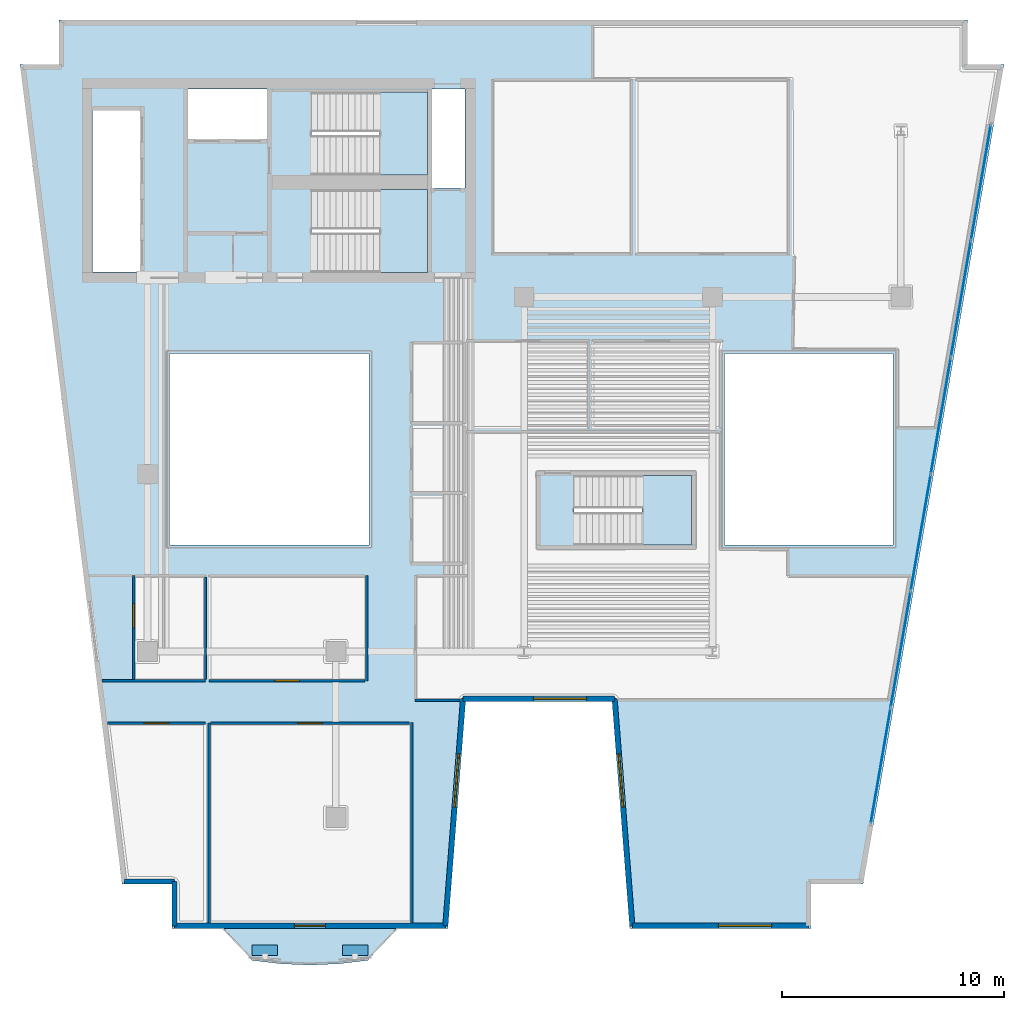
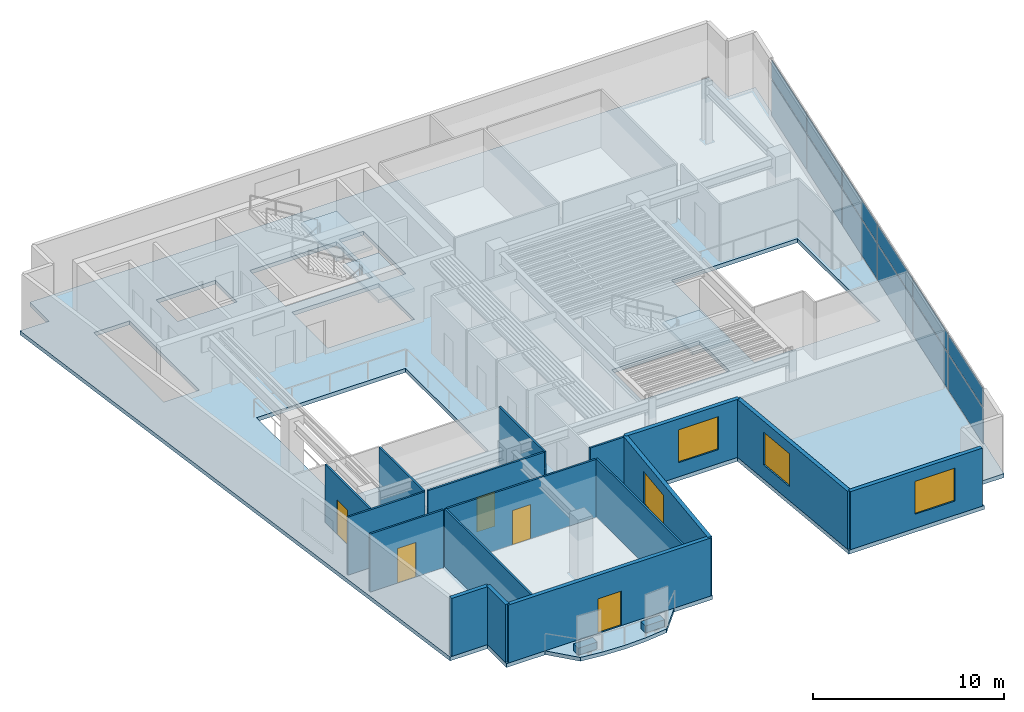
# One storey, part 3 of 9: 17 walls, 14 plates, 5 doors, 5 slabs, 4 windows, 9 openings, 4 elements without a shape of their own.
"""IFC4 building model written with IfcOpenShell, lengths in metres."""

from ifc_helpers import new_model, si_unit, direction, frame, frame_2d, origin, origin_2d, place, context, subcontext, project, spatial, polyline, rectangle, outline, extrude, material, layer, layer_set, type_object, element, fill, aggregate, save


model = new_model("IFC4")

# Units and contexts
model_context = context("Model", 3, precision=1e-05, world=origin(), true_north=direction((0.0, 1.0)))
body_context = subcontext(model_context, "Body", "Model", "MODEL_VIEW")
ifc_project = project(units=[si_unit("LENGTHUNIT", "METRE"), si_unit("AREAUNIT", "SQUARE_METRE"), si_unit("VOLUMEUNIT", "CUBIC_METRE"), si_unit("PLANEANGLEUNIT", "RADIAN"), si_unit("MASSUNIT", "GRAM", prefix="KILO")], contexts=[model_context])

# Site, building, storey
site_placement = place(None, origin())
site = spatial("IfcSite", under=ifc_project, at=site_placement, CompositionType="ELEMENT")
building_placement = place(site_placement, origin())
building = spatial("IfcBuilding", under=site, at=building_placement, Name="Caeloran Harvest Quay", CompositionType="ELEMENT")
storey_placement = place(building_placement, frame((0.0, 0.0, 215.35009765625)))
storey = spatial("IfcBuildingStorey", under=building, at=storey_placement, Name="L51", CompositionType="ELEMENT", Elevation=215.35009765625)

# Slab
ifc_material_1 = material(Name="Concrete C50/60", Category="concrete")
ifc_layer_1 = layer(ifc_material_1, 0.239990234375, Name="Concrete C50/60")
ifc_layer_set_1 = layer_set([ifc_layer_1], Name="Concrete C50/60")
slab_type_1 = type_object("IfcSlabType", Name="BALCONY-BL-240", PredefinedType="FLOOR", material=ifc_layer_set_1)
slab_1_placement = place(storey_placement, frame((0.0, 0.0, -0.239990234375)))
element("IfcSlab", 1, at=slab_1_placement, inside=storey, type_object=slab_type_1, Name="L51 Scalloped Cantilevered Planted Balcony Slab", PredefinedType="FLOOR", context=body_context, shape_type="SweptSolid", body=[
    extrude(outline(polyline([(18.442138671875, 1.060546875), (17.13818359375, 0.906982421875), (15.83447265625, 0.85107421875), (14.53076171875, 0.906982421875), (13.226806640625, 1.060546875), (11.94091796875, 2.5), (19.72802734375, 2.5), (18.442138671875, 1.060546875)])), origin(), (0.0, 0.0, 1.0), 0.239990234375),
])

# Curtain wall, plates
ifc_material_2 = material(Name="Aluminium 6063-T6 and Low-E Glazing", Category="aluminium")
ifc_layer_2 = layer(ifc_material_2, 0.2099609375, Name="Aluminium 6063-T6 and Low-E Glazing")
ifc_layer_set_2 = layer_set([ifc_layer_2], Name="Aluminium 6063-T6 and Low-E Glazing")
curtain_wall_type = type_object("IfcCurtainWallType", Name="CW-SYS-CW-4", PredefinedType="USERDEFINED", material=ifc_layer_set_2)
curtain_wall_placement = place(storey_placement, origin())
curtain_wall = element("IfcCurtainWall", 2, at=curtain_wall_placement, inside=storey, type_object=curtain_wall_type, Name="L51 Unitised Curtain Wall CW-4 Run 9", ObjectType="CURTAIN_WALL", PredefinedType="USERDEFINED")
ifc_material_3 = material(Name="Low-E Double Glazed Vision Glass Unit", Category="glass")
ifc_layer_3 = layer(ifc_material_3, 0.035888671875, Name="Low-E Double Glazed Vision Glass Unit")
ifc_layer_set_3 = layer_set([ifc_layer_3], Name="Low-E Double Glazed Vision Glass Unit")
plate_type_1 = type_object("IfcPlateType", Name="CW-VISION-PANEL", PredefinedType="CURTAIN_PANEL", material=ifc_layer_set_3)
plate_1_placement = place(storey_placement, frame((46.116943359375, 36.16162109375, 0.080078125), z_axis=(0.0, 0.0, 1.0), x_axis=(-0.169391215605, -0.985548890759, 0.0)))
plate_1 = element("IfcPlate", 3, at=plate_1_placement, type_object=plate_type_1, Name="CW-4 panel 1.1", PredefinedType="CURTAIN_PANEL", context=body_context, shape_type="SweptSolid", body=[
    extrude(rectangle(XDim=5.229736328125, YDim=0.035888671875, at=origin_2d()), origin(), (0.0, 0.0, 1.0), 2.280029296875),
])
plate_2_placement = place(storey_placement, frame((46.116943359375, 36.16162109375, 2.43994140625), z_axis=(0.0, 0.0, 1.0), x_axis=(-0.169391215605, -0.985548890759, 0.0)))
plate_2 = element("IfcPlate", 4, at=plate_2_placement, type_object=plate_type_1, Name="CW-4 panel 1.2", PredefinedType="CURTAIN_PANEL", context=body_context, shape_type="SweptSolid", body=[
    extrude(rectangle(XDim=5.229736328125, YDim=0.035888671875, at=origin_2d()), origin(), (0.0, 0.0, 1.0), 1.179931640625),
])
plate_3_placement = place(storey_placement, frame((45.214111328125, 30.90869140625, 0.080078125), z_axis=(0.0, 0.0, 1.0), x_axis=(-0.169391215605, -0.985548890759, 0.0)))
plate_3 = element("IfcPlate", 5, at=plate_3_placement, type_object=plate_type_1, Name="CW-4 panel 2.1", PredefinedType="CURTAIN_PANEL", context=body_context, shape_type="SweptSolid", body=[
    extrude(rectangle(XDim=5.269775390625, YDim=0.035888671875, at=origin_2d()), origin(), (0.0, 0.0, 1.0), 2.280029296875),
])
plate_4_placement = place(storey_placement, frame((45.214111328125, 30.90869140625, 2.43994140625), z_axis=(0.0, 0.0, 1.0), x_axis=(-0.169391215605, -0.985548890759, 0.0)))
plate_4 = element("IfcPlate", 6, at=plate_4_placement, type_object=plate_type_1, Name="CW-4 panel 2.2", PredefinedType="CURTAIN_PANEL", context=body_context, shape_type="SweptSolid", body=[
    extrude(rectangle(XDim=5.269775390625, YDim=0.035888671875, at=origin_2d()), origin(), (0.0, 0.0, 1.0), 1.179931640625),
])
plate_5_placement = place(storey_placement, frame((44.307861328125, 25.63623046875, 0.080078125), z_axis=(0.0, 0.0, 1.0), x_axis=(-0.169391215605, -0.985548890759, 0.0)))
plate_5 = element("IfcPlate", 7, at=plate_5_placement, type_object=plate_type_1, Name="CW-4 panel 3.1", PredefinedType="CURTAIN_PANEL", context=body_context, shape_type="SweptSolid", body=[
    extrude(rectangle(XDim=5.269775390625, YDim=0.035888671875, at=origin_2d()), origin(), (0.0, 0.0, 1.0), 2.280029296875),
])
plate_6_placement = place(storey_placement, frame((44.307861328125, 25.63623046875, 2.43994140625), z_axis=(0.0, 0.0, 1.0), x_axis=(-0.169391215605, -0.985548890759, 0.0)))
plate_6 = element("IfcPlate", 8, at=plate_6_placement, type_object=plate_type_1, Name="CW-4 panel 3.2", PredefinedType="CURTAIN_PANEL", context=body_context, shape_type="SweptSolid", body=[
    extrude(rectangle(XDim=5.269775390625, YDim=0.035888671875, at=origin_2d()), origin(), (0.0, 0.0, 1.0), 1.179931640625),
])
plate_7_placement = place(storey_placement, frame((43.401611328125, 20.36376953125, 0.080078125), z_axis=(0.0, 0.0, 1.0), x_axis=(-0.169391215605, -0.985548890759, 0.0)))
plate_7 = element("IfcPlate", 9, at=plate_7_placement, type_object=plate_type_1, Name="CW-4 panel 4.1", PredefinedType="CURTAIN_PANEL", context=body_context, shape_type="SweptSolid", body=[
    extrude(rectangle(XDim=5.269775390625, YDim=0.035888671875, at=origin_2d()), origin(), (0.0, 0.0, 1.0), 2.280029296875),
])
plate_8_placement = place(storey_placement, frame((43.401611328125, 20.36376953125, 2.43994140625), z_axis=(0.0, 0.0, 1.0), x_axis=(-0.169391215605, -0.985548890759, 0.0)))
plate_8 = element("IfcPlate", 10, at=plate_8_placement, type_object=plate_type_1, Name="CW-4 panel 4.2", PredefinedType="CURTAIN_PANEL", context=body_context, shape_type="SweptSolid", body=[
    extrude(rectangle(XDim=5.269775390625, YDim=0.035888671875, at=origin_2d()), origin(), (0.0, 0.0, 1.0), 1.179931640625),
])
plate_9_placement = place(storey_placement, frame((42.495361328125, 15.09130859375, 0.080078125), z_axis=(0.0, 0.0, 1.0), x_axis=(-0.169391215605, -0.985548890759, 0.0)))
plate_9 = element("IfcPlate", 11, at=plate_9_placement, type_object=plate_type_1, Name="CW-4 panel 5.1", PredefinedType="CURTAIN_PANEL", context=body_context, shape_type="SweptSolid", body=[
    extrude(rectangle(XDim=5.269775390625, YDim=0.035888671875, at=origin_2d()), origin(), (0.0, 0.0, 1.0), 2.280029296875),
])
plate_10_placement = place(storey_placement, frame((42.495361328125, 15.09130859375, 2.43994140625), z_axis=(0.0, 0.0, 1.0), x_axis=(-0.169391215605, -0.985548890759, 0.0)))
plate_10 = element("IfcPlate", 12, at=plate_10_placement, type_object=plate_type_1, Name="CW-4 panel 5.2", PredefinedType="CURTAIN_PANEL", context=body_context, shape_type="SweptSolid", body=[
    extrude(rectangle(XDim=5.269775390625, YDim=0.035888671875, at=origin_2d()), origin(), (0.0, 0.0, 1.0), 1.179931640625),
])
plate_11_placement = place(storey_placement, frame((41.592529296875, 9.83837890625, 0.080078125), z_axis=(0.0, 0.0, 1.0), x_axis=(-0.169391215605, -0.985548890759, 0.0)))
plate_11 = element("IfcPlate", 13, at=plate_11_placement, type_object=plate_type_1, Name="CW-4 panel 6.1", PredefinedType="CURTAIN_PANEL", context=body_context, shape_type="SweptSolid", body=[
    extrude(rectangle(XDim=5.229736328125, YDim=0.035888671875, at=origin_2d()), origin(), (0.0, 0.0, 1.0), 2.280029296875),
])
plate_12_placement = place(storey_placement, frame((41.592529296875, 9.83837890625, 2.43994140625), z_axis=(0.0, 0.0, 1.0), x_axis=(-0.169391215605, -0.985548890759, 0.0)))
plate_12 = element("IfcPlate", 14, at=plate_12_placement, type_object=plate_type_1, Name="CW-4 panel 6.2", PredefinedType="CURTAIN_PANEL", context=body_context, shape_type="SweptSolid", body=[
    extrude(rectangle(XDim=5.229736328125, YDim=0.035888671875, at=origin_2d()), origin(), (0.0, 0.0, 1.0), 1.179931640625),
])
aggregate(curtain_wall, [plate_1, plate_2, plate_3, plate_4, plate_5, plate_6, plate_7, plate_8, plate_9, plate_10, plate_11, plate_12])

# Plates
ifc_material_4 = material(Name="Precast concrete C50/60", Category="concrete")
ifc_layer_4 = layer(ifc_material_4, 0.449951171875, Name="Precast concrete C50/60")
ifc_layer_set_4 = layer_set([ifc_layer_4], Name="Precast concrete C50/60")
plate_type_2 = type_object("IfcPlateType", Name="PLANTER-TROUGH-450", PredefinedType="USERDEFINED", material=ifc_layer_set_4)
for number, where, z_axis, x_axis, name in (
    (15, (17.868408203125, 1.523193359375, 0.0), (0.0, 0.0, 1.0), (1.0, 0.0, 0.0), "L51 Balcony Vertical-Greenery Precast PLANTER Trough 1"),
    (16, (13.800537109375, 1.523193359375, 0.0), (0.0, 0.0, 1.0), (1.0, 0.0, 0.0), "L51 Balcony Vertical-Greenery Precast PLANTER Trough 2"),
):
    element("IfcPlate", number, at=place(storey_placement, frame(where, z_axis=z_axis, x_axis=x_axis)), inside=storey, type_object=plate_type_2, Name=name, ObjectType="PLANTER", PredefinedType="USERDEFINED", context=body_context, shape_type="SweptSolid", body=[
        extrude(rectangle(XDim=1.14990234375, YDim=0.47998046875, at=origin_2d()), origin(), (0.0, 0.0, 1.0), 0.449951171875),
    ])

# Slab
ifc_layer_5 = layer(ifc_material_1, 0.25, Name="Concrete C50/60")
ifc_layer_set_5 = layer_set([ifc_layer_5], Name="Concrete C50/60")
slab_type_2 = type_object("IfcSlabType", Name="SLAB-FS-250", PredefinedType="FLOOR", material=ifc_layer_set_5)
slab_2_placement = place(storey_placement, frame((0.0, 0.0, -0.25)))
element("IfcSlab", 17, at=slab_2_placement, inside=storey, type_object=slab_type_2, Name="L51 Structural Floor Slab", PredefinedType="FLOOR", context=body_context, shape_type="SweptSolid", body=[
    extrude(outline(polyline([(9.60302734375, 2.5), (22.056884765625, 2.5), (22.85693359375, 12.75), (29.469482421875, 12.75), (30.26953125, 2.5), (38.452880859375, 2.5), (38.452880859375, 4.5), (40.796875, 4.5), (47.15625, 41.5), (45.5, 41.5), (45.5, 43.5), (4.5, 43.5), (4.5, 41.5), (2.748779296875, 41.5), (7.35400390625, 4.5), (9.60302734375, 4.5), (9.60302734375, 2.5)]), holes=[polyline([(27.75, 19.800048828125), (27.75, 22.949951171875), (33.050048828125, 22.949951171875), (33.050048828125, 19.800048828125), (27.75, 19.800048828125)]), polyline([(18.5, 19.800048828125), (9.5, 19.800048828125), (9.5, 28.449951171875), (18.5, 28.449951171875), (18.5, 19.800048828125)]), polyline([(42.14990234375, 19.800048828125), (34.550048828125, 19.800048828125), (34.550048828125, 28.449951171875), (42.14990234375, 28.449951171875), (42.14990234375, 19.800048828125)]), polyline([(15.89990234375, 32.10009765625), (15.89990234375, 35.85009765625), (21.14990234375, 35.85009765625), (21.14990234375, 32.10009765625), (15.89990234375, 32.10009765625)]), polyline([(8.159912109375, 32.1201171875), (6.02001953125, 32.1201171875), (6.02001953125, 39.419921875), (8.159912109375, 39.419921875), (8.159912109375, 32.1201171875)]), polyline([(22.830078125, 35.919921875), (21.35009765625, 35.919921875), (21.35009765625, 40.3798828125), (22.830078125, 40.3798828125), (22.830078125, 35.919921875)]), polyline([(15.89990234375, 36.5), (15.89990234375, 40.25), (21.14990234375, 40.25), (21.14990234375, 36.5), (15.89990234375, 36.5)]), polyline([(13.89990234375, 38.1201171875), (10.320068359375, 38.1201171875), (10.320068359375, 40.3798828125), (13.89990234375, 40.3798828125), (13.89990234375, 38.1201171875)])]), origin(), (0.0, 0.0, 1.0), 0.25),
])

# Stair, slab
stair_type_1 = type_object("IfcStairType", Name="STAIR-STC-180", PredefinedType="HALF_TURN_STAIR", material=ifc_material_1)
stair_1_placement = place(storey_placement, origin())
stair_1 = element("IfcStair", 18, at=stair_1_placement, inside=storey, type_object=stair_type_1, Name="L51 Core Pressurized Exit Stair ST-C1", PredefinedType="HALF_TURN_STAIR")
ifc_layer_6 = layer(ifc_material_1, 0.219970703125, Name="Concrete C50/60")
ifc_layer_set_6 = layer_set([ifc_layer_6], Name="Concrete C50/60")
slab_type_3 = type_object("IfcSlabType", Name="STAIR-LANDING-220", PredefinedType="LANDING", material=ifc_layer_set_6)
slab_3_placement = place(storey_placement, frame((0.0, 0.0, 1.77490234375)))
slab_3 = element("IfcSlab", 19, at=slab_3_placement, type_object=slab_type_3, Name="ST-C1 landing 1", PredefinedType="LANDING", context=body_context, shape_type="SweptSolid", body=[
    extrude(outline(polyline([(18.97998046875, 36.5), (21.14990234375, 36.5), (21.14990234375, 40.25), (18.97998046875, 40.25), (18.97998046875, 36.5)])), origin(), (0.0, 0.0, 1.0), 0.199951171875),
])
aggregate(stair_1, [slab_3])

stair_2_placement = place(storey_placement, origin())
stair_2 = element("IfcStair", 20, at=stair_2_placement, inside=storey, type_object=stair_type_1, Name="L51 Core Pressurized Exit Stair ST-C2", PredefinedType="HALF_TURN_STAIR")
slab_4_placement = place(storey_placement, frame((0.0, 0.0, 1.77490234375)))
slab_4 = element("IfcSlab", 21, at=slab_4_placement, type_object=slab_type_3, Name="ST-C2 landing 1", PredefinedType="LANDING", context=body_context, shape_type="SweptSolid", body=[
    extrude(outline(polyline([(18.97998046875, 32.10009765625), (21.14990234375, 32.10009765625), (21.14990234375, 35.85009765625), (18.97998046875, 35.85009765625), (18.97998046875, 32.10009765625)])), origin(), (0.0, 0.0, 1.0), 0.199951171875),
])
aggregate(stair_2, [slab_4])

stair_type_2 = type_object("IfcStairType", Name="STAIR-STW-150", PredefinedType="HALF_TURN_STAIR", material=ifc_material_1)
stair_3_placement = place(storey_placement, origin())
stair_3 = element("IfcStair", 22, at=stair_3_placement, inside=storey, type_object=stair_type_2, Name="L51 East Wing Protected Exit Stair ST-W1", PredefinedType="HALF_TURN_STAIR")
slab_5_placement = place(storey_placement, frame((0.0, 0.0, 1.77490234375)))
slab_5 = element("IfcSlab", 23, at=slab_5_placement, type_object=slab_type_3, Name="ST-W1 landing 1", PredefinedType="LANDING", context=body_context, shape_type="SweptSolid", body=[
    extrude(outline(polyline([(30.830078125, 19.800048828125), (33.050048828125, 19.800048828125), (33.050048828125, 22.949951171875), (30.830078125, 22.949951171875), (30.830078125, 19.800048828125)])), origin(), (0.0, 0.0, 1.0), 0.199951171875),
])
aggregate(stair_3, [slab_5])

# Walls
ifc_layer_7 = layer(ifc_material_4, 0.239990234375, Name="Precast concrete C50/60")
ifc_layer_set_7 = layer_set([ifc_layer_7], Name="Precast concrete C50/60")
wall_type_1 = type_object("IfcWallType", Name="ENV-WALL-EW-240", PredefinedType="STANDARD", material=ifc_layer_set_7)
wall_1_placement = place(storey_placement, frame((9.722900390625, 2.6201171875, 0.0), z_axis=(0.0, 0.0, 1.0), x_axis=(0.0, 1.0, 0.0)))
element("IfcWall", 24, at=wall_1_placement, inside=storey, type_object=wall_type_1, Name="L51 Exterior Precast Concrete Facade Wall 1", PredefinedType="STANDARD", context=body_context, shape_type="SweptSolid", body=[
    extrude(rectangle(XDim=2.0, YDim=0.239990234375, at=frame_2d((1.0, 0.0))), origin(), (0.0, 0.0, 1.0), 3.699951171875),
])
wall_2_placement = place(storey_placement, frame((9.722900390625, 4.6201171875, 0.0), z_axis=(0.0, 0.0, 1.0), x_axis=(-1.0, 0.0, 0.0)))
element("IfcWall", 25, at=wall_2_placement, inside=storey, type_object=wall_type_1, Name="L51 Exterior Precast Concrete Facade Wall 2", PredefinedType="STANDARD", context=body_context, shape_type="SweptSolid", body=[
    extrude(rectangle(XDim=2.2626953125, YDim=0.239990234375, at=frame_2d((1.13134765625, 0.0))), origin(), (0.0, 0.0, 1.0), 3.699951171875),
])

# Wall, opening, window
wall_3_placement = place(storey_placement, frame((38.3330078125, 2.6201171875, 0.0), z_axis=(0.0, 0.0, 1.0), x_axis=(-1.0, 0.0, 0.0)))
wall_3 = element("IfcWall", 26, at=wall_3_placement, inside=storey, type_object=wall_type_1, Name="L51 Exterior Precast Concrete Facade Wall 12", PredefinedType="STANDARD", context=body_context, shape_type="SweptSolid", body=[
    extrude(rectangle(XDim=7.952392578125, YDim=0.239990234375, at=frame_2d((3.97607421875, 0.0))), origin(), (0.0, 0.0, 1.0), 3.699951171875),
])
opening_1_placement = place(wall_3_placement, frame((1.6630859375, 0.0, 0.89990234375)))
opening_1 = element("IfcOpeningElement", 27, at=opening_1_placement, cuts=wall_3, Name="Opening W-02", PredefinedType="OPENING", context=body_context, shape_type="SweptSolid", body=[
    extrude(rectangle(XDim=2.39990234375, YDim=2.10009765625, at=frame_2d((1.199951171875, 1.050048828125))), frame((0.0, 0.1298828125, 0.0), z_axis=(0.0, -1.0, 0.0), x_axis=(1.0, 0.0, 0.0)), (0.0, 0.0, 1.0), 0.260009765625),
])
ifc_material_5 = material(Name="Aluminium-Framed Low-E Laminated Glass", Category="aluminium")
window_type = type_object("IfcWindowType", Name="WIN-W-02", PartitioningType="DOUBLE_PANEL_VERTICAL", PredefinedType="WINDOW", material=ifc_material_5)
window_1_placement = place(opening_1_placement, origin())
window_1 = element("IfcWindow", 28, at=window_1_placement, inside=storey, type_object=window_type, Name="L51 Facade Punched Window W-02", OverallHeight=2.10009765625, OverallWidth=2.39990234375, PartitioningType="DOUBLE_PANEL_VERTICAL", PredefinedType="WINDOW", context=body_context, shape_type="SweptSolid", body=[
    extrude(rectangle(XDim=2.39990234375, YDim=2.10009765625, at=frame_2d((1.199951171875, 1.050048828125))), frame((0.0, 0.030029296875, 0.0), z_axis=(0.0, -1.0, 0.0), x_axis=(1.0, 0.0, 0.0)), (0.0, 0.0, 1.0), 0.06005859375),
])
fill(opening_1, window_1)

wall_4_placement = place(storey_placement, frame((30.380615234375, 2.6201171875, 0.0), z_axis=(0.0, 0.0, 1.0), x_axis=(-0.077816860153, 0.996967670627, 0.0)))
wall_4 = element("IfcWall", 29, at=wall_4_placement, inside=storey, type_object=wall_type_1, Name="L51 Exterior Precast Concrete Facade Wall 13", PredefinedType="STANDARD", context=body_context, shape_type="SweptSolid", body=[
    extrude(rectangle(XDim=10.28125, YDim=0.239990234375, at=frame_2d((5.140625, 0.0))), origin(), (0.0, 0.0, 1.0), 3.699951171875),
])
opening_2_placement = place(wall_4_placement, frame((5.3798828125, 0.0, 0.89990234375)))
opening_2 = element("IfcOpeningElement", 30, at=opening_2_placement, cuts=wall_4, Name="Opening W-02", PredefinedType="OPENING", context=body_context, shape_type="SweptSolid", body=[
    extrude(rectangle(XDim=2.39990234375, YDim=2.10009765625, at=frame_2d((1.199951171875, 1.050048828125))), frame((0.0, 0.1298828125, 0.0), z_axis=(0.0, -1.0, 0.0), x_axis=(1.0, 0.0, 0.0)), (0.0, 0.0, 1.0), 0.260009765625),
])
window_2_placement = place(opening_2_placement, origin())
window_2 = element("IfcWindow", 31, at=window_2_placement, inside=storey, type_object=window_type, Name="L51 Facade Punched Window W-02", OverallHeight=2.10009765625, OverallWidth=2.39990234375, PartitioningType="DOUBLE_PANEL_VERTICAL", PredefinedType="WINDOW", context=body_context, shape_type="SweptSolid", body=[
    extrude(rectangle(XDim=2.39990234375, YDim=2.10009765625, at=frame_2d((1.199951171875, 1.050048828125))), frame((0.0, 0.030029296875, 0.0), z_axis=(0.0, -1.0, 0.0), x_axis=(1.0, 0.0, 0.0)), (0.0, 0.0, 1.0), 0.06005859375),
])
fill(opening_2, window_2)

wall_5_placement = place(storey_placement, frame((29.58056640625, 12.8701171875, 0.0), z_axis=(0.0, 0.0, 1.0), x_axis=(-1.0, 0.0, 0.0)))
wall_5 = element("IfcWall", 32, at=wall_5_placement, inside=storey, type_object=wall_type_1, Name="L51 Exterior Precast Concrete Facade Wall 14", PredefinedType="STANDARD", context=body_context, shape_type="SweptSolid", body=[
    extrude(rectangle(XDim=6.83447265625, YDim=0.239990234375, at=frame_2d((3.417236328125, 0.0))), origin(), (0.0, 0.0, 1.0), 3.699951171875),
])
opening_3_placement = place(wall_5_placement, frame((1.260009765625, 0.0, 0.89990234375)))
opening_3 = element("IfcOpeningElement", 33, at=opening_3_placement, cuts=wall_5, Name="Opening W-02", PredefinedType="OPENING", context=body_context, shape_type="SweptSolid", body=[
    extrude(rectangle(XDim=2.39990234375, YDim=2.10009765625, at=frame_2d((1.199951171875, 1.050048828125))), frame((0.0, 0.1298828125, 0.0), z_axis=(0.0, -1.0, 0.0), x_axis=(1.0, 0.0, 0.0)), (0.0, 0.0, 1.0), 0.260009765625),
])
window_3_placement = place(opening_3_placement, origin())
window_3 = element("IfcWindow", 34, at=window_3_placement, inside=storey, type_object=window_type, Name="L51 Facade Punched Window W-02", OverallHeight=2.10009765625, OverallWidth=2.39990234375, PartitioningType="DOUBLE_PANEL_VERTICAL", PredefinedType="WINDOW", context=body_context, shape_type="SweptSolid", body=[
    extrude(rectangle(XDim=2.39990234375, YDim=2.10009765625, at=frame_2d((1.199951171875, 1.050048828125))), frame((0.0, 0.030029296875, 0.0), z_axis=(0.0, -1.0, 0.0), x_axis=(1.0, 0.0, 0.0)), (0.0, 0.0, 1.0), 0.06005859375),
])
fill(opening_3, window_3)

wall_6_placement = place(storey_placement, frame((22.74609375, 12.8701171875, 0.0), z_axis=(0.0, 0.0, 1.0), x_axis=(-0.077816860153, -0.996967670627, 0.0)))
wall_6 = element("IfcWall", 35, at=wall_6_placement, inside=storey, type_object=wall_type_1, Name="L51 Exterior Precast Concrete Facade Wall 15", PredefinedType="STANDARD", context=body_context, shape_type="SweptSolid", body=[
    extrude(rectangle(XDim=10.28125, YDim=0.239990234375, at=frame_2d((5.140625, 0.0))), origin(), (0.0, 0.0, 1.0), 3.699951171875),
])
opening_4_placement = place(wall_6_placement, frame((2.5009765625, 0.0, 0.89990234375)))
opening_4 = element("IfcOpeningElement", 36, at=opening_4_placement, cuts=wall_6, Name="Opening W-02", PredefinedType="OPENING", context=body_context, shape_type="SweptSolid", body=[
    extrude(rectangle(XDim=2.39990234375, YDim=2.10009765625, at=frame_2d((1.199951171875, 1.050048828125))), frame((0.0, 0.1298828125, 0.0), z_axis=(0.0, -1.0, 0.0), x_axis=(1.0, 0.0, 0.0)), (0.0, 0.0, 1.0), 0.260009765625),
])
window_4_placement = place(opening_4_placement, origin())
window_4 = element("IfcWindow", 37, at=window_4_placement, inside=storey, type_object=window_type, Name="L51 Facade Punched Window W-02", OverallHeight=2.10009765625, OverallWidth=2.39990234375, PartitioningType="DOUBLE_PANEL_VERTICAL", PredefinedType="WINDOW", context=body_context, shape_type="SweptSolid", body=[
    extrude(rectangle(XDim=2.39990234375, YDim=2.10009765625, at=frame_2d((1.199951171875, 1.050048828125))), frame((0.0, 0.030029296875, 0.0), z_axis=(0.0, -1.0, 0.0), x_axis=(1.0, 0.0, 0.0)), (0.0, 0.0, 1.0), 0.06005859375),
])
fill(opening_4, window_4)

# Wall, opening, door
wall_7_placement = place(storey_placement, frame((21.946044921875, 2.6201171875, 0.0), z_axis=(0.0, 0.0, 1.0), x_axis=(-1.0, 0.0, 0.0)))
wall_7 = element("IfcWall", 38, at=wall_7_placement, inside=storey, type_object=wall_type_1, Name="L51 Exterior Precast Concrete Facade Wall 16", PredefinedType="STANDARD", context=body_context, shape_type="SweptSolid", body=[
    extrude(rectangle(XDim=12.22314453125, YDim=0.239990234375, at=frame_2d((6.111572265625, 0.0))), origin(), (0.0, 0.0, 1.0), 3.699951171875),
])
opening_5_placement = place(wall_7_placement, frame((5.410888671875, 0.0, 0.0)))
opening_5 = element("IfcOpeningElement", 39, at=opening_5_placement, cuts=wall_7, Name="Opening BD-02", PredefinedType="OPENING", context=body_context, shape_type="SweptSolid", body=[
    extrude(rectangle(XDim=1.39990234375, YDim=2.199951171875, at=frame_2d((0.699951171875, 1.10009765625))), frame((0.0, 0.1298828125, 0.0), z_axis=(0.0, -1.0, 0.0), x_axis=(1.0, 0.0, 0.0)), (0.0, 0.0, 1.0), 0.260009765625),
])
ifc_material_6 = material(Name="Thermally Broken Powder-Coated Aluminium and Safety Glass", Category="aluminium")
door_type_1 = type_object("IfcDoorType", Name="EXTDOOR-BD-02", OperationType="NOTDEFINED", PredefinedType="DOOR", material=ifc_material_6)
door_1_placement = place(opening_5_placement, origin())
door_1 = element("IfcDoor", 40, at=door_1_placement, inside=storey, type_object=door_type_1, Name="L51 Planted Balcony Glazed Access Door", OperationType="SINGLE_SWING_RIGHT", OverallHeight=2.199951171875, OverallWidth=1.39990234375, PredefinedType="DOOR", context=body_context, shape_type="SweptSolid", body=[
    extrude(rectangle(XDim=1.39990234375, YDim=2.199951171875, at=frame_2d((0.699951171875, 1.10009765625))), frame((0.0, 0.02490234375, 0.0), z_axis=(0.0, -1.0, 0.0), x_axis=(1.0, 0.0, 0.0)), (0.0, 0.0, 1.0), 0.050048828125),
])
fill(opening_5, door_1)

# Wall
ifc_material_7 = material(Name="Single-Stud Acoustic Gypsum Office Partition", Category="gypsum")
ifc_layer_8 = layer(ifc_material_7, 0.112060546875, Name="Single-Stud Acoustic Gypsum Office Partition")
ifc_layer_set_8 = layer_set([ifc_layer_8], Name="Single-Stud Acoustic Gypsum Office Partition")
wall_type_2 = type_object("IfcWallType", Name="INT-WALL-PW-112", PredefinedType="PARTITIONING", material=ifc_layer_set_8)
wall_8_placement = place(storey_placement, frame((11.280029296875, 2.7451171875, 0.0), z_axis=(0.0, 0.0, 1.0), x_axis=(0.0, 1.0, 0.0)))
element("IfcWall", 41, at=wall_8_placement, inside=storey, type_object=wall_type_2, Name="Food-Security Culinary Kitchen Partition Wall", PredefinedType="PARTITIONING", context=body_context, shape_type="SweptSolid", body=[
    extrude(rectangle(XDim=9.02490234375, YDim=0.112060546875, at=frame_2d((4.512451171875, 0.0))), origin(), (0.0, 0.0, 1.0), 3.699951171875),
])

# Wall, opening, door
wall_9_placement = place(storey_placement, frame((11.341064453125, 11.77001953125, 0.0), z_axis=(0.0, 0.0, 1.0), x_axis=(1.0, 0.0, 0.0)))
wall_9 = element("IfcWall", 42, at=wall_9_placement, inside=storey, type_object=wall_type_2, Name="Food-Security Culinary Kitchen Partition Wall", PredefinedType="PARTITIONING", context=body_context, shape_type="SweptSolid", body=[
    extrude(rectangle(XDim=8.97900390625, YDim=0.112060546875, at=frame_2d((4.489501953125, 0.0))), origin(), (0.0, 0.0, 1.0), 3.699951171875),
])
opening_6_placement = place(wall_9_placement, frame((3.939453125, 0.0, 0.0)))
opening_6 = element("IfcOpeningElement", 43, at=opening_6_placement, cuts=wall_9, Name="Opening ID-04", PredefinedType="OPENING", context=body_context, shape_type="SweptSolid", body=[
    extrude(rectangle(XDim=1.10009765625, YDim=2.199951171875, at=frame_2d((0.550048828125, 1.10009765625))), frame((0.0, 0.06591796875, 0.0), z_axis=(0.0, -1.0, 0.0), x_axis=(1.0, 0.0, 0.0)), (0.0, 0.0, 1.0), 0.132080078125),
])
ifc_material_8 = material(Name="Acoustic Walnut Veneer Executive Door", Category="wood")
door_type_2 = type_object("IfcDoorType", Name="INTDOOR-ID-04", OperationType="NOTDEFINED", PredefinedType="DOOR", material=ifc_material_8)
door_2_placement = place(opening_6_placement, origin())
door_2 = element("IfcDoor", 44, at=door_2_placement, inside=storey, type_object=door_type_2, Name="Food-Security Culinary Kitchen Access Door", OperationType="SINGLE_SWING_LEFT", OverallHeight=2.199951171875, OverallWidth=1.10009765625, PredefinedType="DOOR", context=body_context, shape_type="SweptSolid", body=[
    extrude(rectangle(XDim=1.10009765625, YDim=2.199951171875, at=frame_2d((0.550048828125, 1.10009765625))), frame((0.0, 0.02490234375, 0.0), z_axis=(0.0, -1.0, 0.0), x_axis=(1.0, 0.0, 0.0)), (0.0, 0.0, 1.0), 0.050048828125),
])
fill(opening_6, door_2)

# Wall
wall_10_placement = place(storey_placement, frame((20.419921875, 11.7900390625, 0.0), z_axis=(0.0, 0.0, 1.0), x_axis=(0.0, -1.0, 0.0)))
element("IfcWall", 45, at=wall_10_placement, inside=storey, type_object=wall_type_2, Name="Food-Security Culinary Kitchen Partition Wall", PredefinedType="PARTITIONING", context=body_context, shape_type="SweptSolid", body=[
    extrude(rectangle(XDim=9.044921875, YDim=0.112060546875, at=frame_2d((4.5224609375, 0.0))), origin(), (0.0, 0.0, 1.0), 3.699951171875),
])

# Wall, opening, door
wall_11_placement = place(storey_placement, frame((6.696044921875, 11.77001953125, 0.0), z_axis=(0.0, 0.0, 1.0), x_axis=(1.0, 0.0, 0.0)))
wall_11 = element("IfcWall", 46, at=wall_11_placement, inside=storey, type_object=wall_type_2, Name="Policy Seminar Meeting Hall Partition Wall", PredefinedType="PARTITIONING", context=body_context, shape_type="SweptSolid", body=[
    extrude(rectangle(XDim=4.424072265625, YDim=0.112060546875, at=frame_2d((2.2119140625, 0.0))), origin(), (0.0, 0.0, 1.0), 3.699951171875),
])
opening_7_placement = place(wall_11_placement, frame((1.661865234375, 0.0, 0.0)))
opening_7 = element("IfcOpeningElement", 47, at=opening_7_placement, cuts=wall_11, Name="Opening ID-04", PredefinedType="OPENING", context=body_context, shape_type="SweptSolid", body=[
    extrude(rectangle(XDim=1.10009765625, YDim=2.199951171875, at=frame_2d((0.550048828125, 1.10009765625))), frame((0.0, 0.06591796875, 0.0), z_axis=(0.0, -1.0, 0.0), x_axis=(1.0, 0.0, 0.0)), (0.0, 0.0, 1.0), 0.132080078125),
])
door_3_placement = place(opening_7_placement, origin())
door_3 = element("IfcDoor", 48, at=door_3_placement, inside=storey, type_object=door_type_2, Name="Policy Seminar Meeting Hall Access Door", OperationType="SINGLE_SWING_RIGHT", OverallHeight=2.199951171875, OverallWidth=1.10009765625, PredefinedType="DOOR", context=body_context, shape_type="SweptSolid", body=[
    extrude(rectangle(XDim=1.10009765625, YDim=2.199951171875, at=frame_2d((0.550048828125, 1.10009765625))), frame((0.0, 0.02490234375, 0.0), z_axis=(0.0, -1.0, 0.0), x_axis=(1.0, 0.0, 0.0)), (0.0, 0.0, 1.0), 0.050048828125),
])
fill(opening_7, door_3)

# Wall
wall_12_placement = place(storey_placement, frame((11.1201171875, 13.679931640625, 0.0), z_axis=(0.0, 0.0, 1.0), x_axis=(-1.0, 0.0, 0.0)))
element("IfcWall", 49, at=wall_12_placement, inside=storey, type_object=wall_type_2, Name="Econometric Wet Laboratory Partition Wall", PredefinedType="PARTITIONING", context=body_context, shape_type="SweptSolid", body=[
    extrude(rectangle(XDim=4.66162109375, YDim=0.112060546875, at=frame_2d((2.330810546875, 0.0))), origin(), (0.0, 0.0, 1.0), 3.699951171875),
])

# Wall, opening, door
wall_13_placement = place(storey_placement, frame((7.8798828125, 13.740966796875, 0.0), z_axis=(0.0, 0.0, 1.0), x_axis=(0.0, 1.0, 0.0)))
wall_13 = element("IfcWall", 50, at=wall_13_placement, inside=storey, type_object=wall_type_2, Name="Econometric Wet Laboratory Partition Wall", PredefinedType="PARTITIONING", context=body_context, shape_type="SweptSolid", body=[
    extrude(rectangle(XDim=4.678955078125, YDim=0.112060546875, at=frame_2d((2.33935546875, 0.0))), origin(), (0.0, 0.0, 1.0), 3.699951171875),
])
opening_8_placement = place(wall_13_placement, frame((2.32373046875, 0.0, 0.0)))
opening_8 = element("IfcOpeningElement", 51, at=opening_8_placement, cuts=wall_13, Name="Opening ID-04", PredefinedType="OPENING", context=body_context, shape_type="SweptSolid", body=[
    extrude(rectangle(XDim=1.10009765625, YDim=2.199951171875, at=frame_2d((0.550048828125, 1.10009765625))), frame((0.0, 0.06591796875, 0.0), z_axis=(0.0, -1.0, 0.0), x_axis=(1.0, 0.0, 0.0)), (0.0, 0.0, 1.0), 0.132080078125),
])
door_4_placement = place(opening_8_placement, origin())
door_4 = element("IfcDoor", 52, at=door_4_placement, inside=storey, type_object=door_type_2, Name="Econometric Wet Laboratory Access Door", OperationType="SINGLE_SWING_LEFT", OverallHeight=2.199951171875, OverallWidth=1.10009765625, PredefinedType="DOOR", context=body_context, shape_type="SweptSolid", body=[
    extrude(rectangle(XDim=1.10009765625, YDim=2.199951171875, at=frame_2d((0.550048828125, 1.10009765625))), frame((0.0, 0.02490234375, 0.0), z_axis=(0.0, -1.0, 0.0), x_axis=(1.0, 0.0, 0.0)), (0.0, 0.0, 1.0), 0.050048828125),
])
fill(opening_8, door_4)

# Walls
wall_14_placement = place(storey_placement, frame((11.1201171875, 18.35888671875, 0.0), z_axis=(0.0, 0.0, 1.0), x_axis=(0.0, -1.0, 0.0)))
element("IfcWall", 53, at=wall_14_placement, inside=storey, type_object=wall_type_2, Name="Econometric Wet Laboratory Partition Wall", PredefinedType="PARTITIONING", context=body_context, shape_type="SweptSolid", body=[
    extrude(rectangle(XDim=4.617919921875, YDim=0.112060546875, at=frame_2d((2.30908203125, 0.0))), origin(), (0.0, 0.0, 1.0), 3.699951171875),
])
wall_15_placement = place(storey_placement, frame((18.389892578125, 18.419921875, 0.0), z_axis=(0.0, 0.0, 1.0), x_axis=(0.0, -1.0, 0.0)))
element("IfcWall", 54, at=wall_15_placement, inside=storey, type_object=wall_type_2, Name="Fellows Tasting Kitchen Partition Wall", PredefinedType="PARTITIONING", context=body_context, shape_type="SweptSolid", body=[
    extrude(rectangle(XDim=4.739990234375, YDim=0.112060546875, at=frame_2d((2.3701171875, 0.0))), origin(), (0.0, 0.0, 1.0), 3.699951171875),
])

# Wall, opening, door
wall_16_placement = place(storey_placement, frame((18.3291015625, 13.679931640625, 0.0), z_axis=(0.0, 0.0, 1.0), x_axis=(-1.0, 0.0, 0.0)))
wall_16 = element("IfcWall", 55, at=wall_16_placement, inside=storey, type_object=wall_type_2, Name="Fellows Tasting Kitchen Partition Wall", PredefinedType="PARTITIONING", context=body_context, shape_type="SweptSolid", body=[
    extrude(rectangle(XDim=7.049072265625, YDim=0.112060546875, at=frame_2d((3.5244140625, 0.0))), origin(), (0.0, 0.0, 1.0), 3.699951171875),
])
opening_9_placement = place(wall_16_placement, frame((2.974609375, 0.0, 0.0)))
opening_9 = element("IfcOpeningElement", 56, at=opening_9_placement, cuts=wall_16, Name="Opening ID-04", PredefinedType="OPENING", context=body_context, shape_type="SweptSolid", body=[
    extrude(rectangle(XDim=1.10009765625, YDim=2.199951171875, at=frame_2d((0.550048828125, 1.10009765625))), frame((0.0, 0.06591796875, 0.0), z_axis=(0.0, -1.0, 0.0), x_axis=(1.0, 0.0, 0.0)), (0.0, 0.0, 1.0), 0.132080078125),
])
door_5_placement = place(opening_9_placement, origin())
door_5 = element("IfcDoor", 57, at=door_5_placement, inside=storey, type_object=door_type_2, Name="Fellows Tasting Kitchen Access Door", OperationType="SINGLE_SWING_RIGHT", OverallHeight=2.199951171875, OverallWidth=1.10009765625, PredefinedType="DOOR", context=body_context, shape_type="SweptSolid", body=[
    extrude(rectangle(XDim=1.10009765625, YDim=2.199951171875, at=frame_2d((0.550048828125, 1.10009765625))), frame((0.0, 0.02490234375, 0.0), z_axis=(0.0, -1.0, 0.0), x_axis=(1.0, 0.0, 0.0)), (0.0, 0.0, 1.0), 0.050048828125),
])
fill(opening_9, door_5)

# Wall
wall_17_placement = place(storey_placement, frame((22.615234375, 12.800048828125, 0.0), z_axis=(0.0, 0.0, 1.0), x_axis=(-1.0, 0.0, 0.0)))
element("IfcWall", 58, at=wall_17_placement, inside=storey, type_object=wall_type_2, Name="Roundtable Conference Room Partition Wall", PredefinedType="PARTITIONING", context=body_context, shape_type="SweptSolid", body=[
    extrude(rectangle(XDim=2.03515625, YDim=0.112060546875, at=frame_2d((1.017578125, 0.0))), origin(), (0.0, 0.0, 1.0), 3.699951171875),
])

save(model, "model.ifc")
